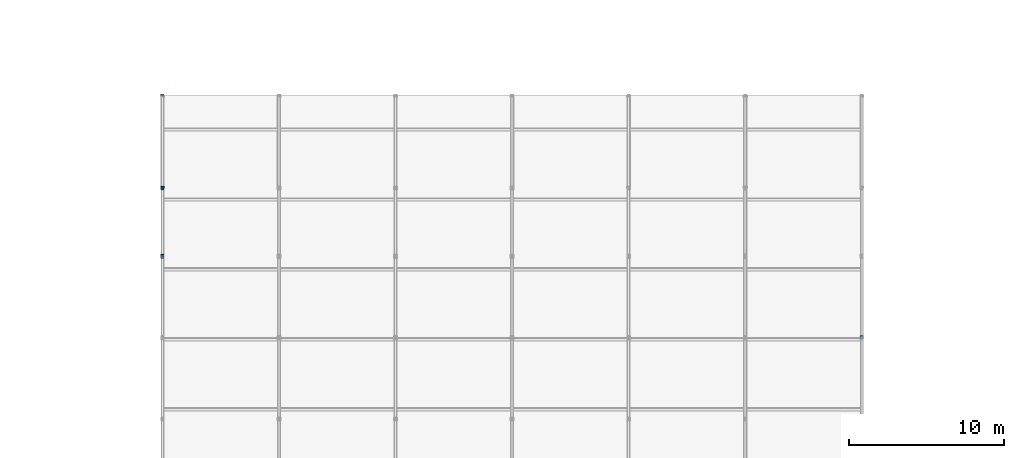
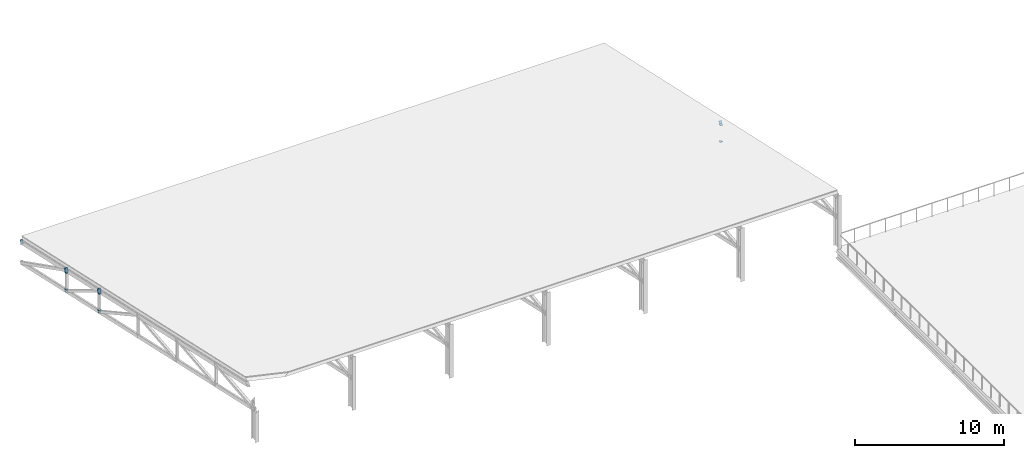
# One storey, part 58 of 77: 16 plates.
"""IFC4 building model written with IfcOpenShell, lengths in metres."""

from ifc_helpers import new_model, si_unit, direction, frame, origin, origin_2d, place, context, subcontext, project, spatial, rectangle, extrude, material, layer, layer_set, type_object, element, save


model = new_model("IFC4")

# Units and contexts
model_context = context("Model", 3, precision=1e-05, world=origin(), true_north=direction((0.0, 1.0)))
body_context = subcontext(model_context, "Body", "Model", "MODEL_VIEW")
ifc_project = project(units=[si_unit("LENGTHUNIT", "METRE"), si_unit("AREAUNIT", "SQUARE_METRE"), si_unit("VOLUMEUNIT", "CUBIC_METRE"), si_unit("PLANEANGLEUNIT", "RADIAN"), si_unit("MASSUNIT", "GRAM", prefix="KILO")], contexts=[model_context])

# Site, building, storey
site_placement = place(None, origin())
site = spatial("IfcSite", under=ifc_project, at=site_placement, CompositionType="ELEMENT")
building_placement = place(site_placement, origin())
building = spatial("IfcBuilding", under=site, at=building_placement, Name="Yukiwa Park Conservatory and Herbarium", CompositionType="ELEMENT")
storey_placement = place(building_placement, frame((0.0, 0.0, 13.199951171875)))
storey = spatial("IfcBuildingStorey", under=building, at=storey_placement, Name="L03", CompositionType="ELEMENT", Elevation=13.199951171875)

# Plates
ifc_material_1 = material(Name="Steel Q355D", Category="steel")
ifc_layer_1 = layer(ifc_material_1, 0.02392578125)
ifc_layer_set_1 = layer_set([ifc_layer_1], Name="Steel Q355D")
plate_type_1 = type_object("IfcPlateType", Name="PL-CAP-24", PredefinedType="USERDEFINED", material=ifc_layer_set_1)
plate_1_placement = place(storey_placement, frame((15.0, 98.760986328125, -0.41064453125), z_axis=(0.0, 0.976900017396, -0.213696878805), x_axis=(-1.0, 0.0, 0.0)))
element("IfcPlate", 1, at=plate_1_placement, inside=storey, type_object=plate_type_1, Name="Hollow section end cap plate CAP-AUTC-1-4B", ObjectType="END CAP PLATE", PredefinedType="USERDEFINED", context=body_context, shape_type="SweptSolid", body=[
    extrude(rectangle(XDim=0.2080078125, YDim=0.35791015625, at=origin_2d()), origin(), (0.0, 0.0, 1.0), 0.02392578125),
])
plate_2_placement = place(storey_placement, frame((15.0, 98.79296875, -2.115478515625), z_axis=(0.0, 0.877505337229, -0.479566870346), x_axis=(-1.0, 0.0, 0.0)))
element("IfcPlate", 2, at=plate_2_placement, inside=storey, type_object=plate_type_1, Name="Hollow section end cap plate CAP-AUDG-1-4B", ObjectType="END CAP PLATE", PredefinedType="USERDEFINED", context=body_context, shape_type="SweptSolid", body=[
    extrude(rectangle(XDim=0.2080078125, YDim=0.2080078125, at=origin_2d()), origin(), (0.0, 0.0, 1.0), 0.02392578125),
])
for number, where, z_axis, x_axis, name in (
    (3, (15.0, 98.839111328125, -0.427978515625), (0.0, -0.976900017396, 0.213696878805), (1.0, 0.0, 0.0), "Hollow section end cap plate CAP-AUTC-1-5A"),
    (4, (15.0, 103.160888671875, -1.385986328125), (0.0, 0.974732318528, -0.223376156329), (-1.0, 0.0, 0.0), "Hollow section end cap plate CAP-AUTC-1-5B"),
):
    element("IfcPlate", number, at=place(storey_placement, frame(where, z_axis=z_axis, x_axis=x_axis)), inside=storey, type_object=plate_type_1, Name=name, ObjectType="END CAP PLATE", PredefinedType="USERDEFINED", context=body_context, shape_type="SweptSolid", body=[
        extrude(rectangle(XDim=0.2080078125, YDim=0.35791015625, at=origin_2d()), origin(), (0.0, 0.0, 1.0), 0.02392578125),
    ])
for number, where, z_axis, x_axis, name in (
    (5, (15.0, 98.91357421875, -0.488525390625), (0.0, -0.854787515222, 0.518978134242), (1.0, 0.0, 0.0), "Hollow section end cap plate CAP-AUDG-1-5A"),
    (6, (15.0, 103.193115234375, -3.090576171875), (0.0, 0.854787515222, -0.518978134242), (-1.0, 0.0, 0.0), "Hollow section end cap plate CAP-AUDG-1-5B"),
):
    element("IfcPlate", number, at=place(storey_placement, frame(where, z_axis=z_axis, x_axis=x_axis)), inside=storey, type_object=plate_type_1, Name=name, ObjectType="END CAP PLATE", PredefinedType="USERDEFINED", context=body_context, shape_type="SweptSolid", body=[
        extrude(rectangle(XDim=0.2080078125, YDim=0.2080078125, at=origin_2d()), origin(), (0.0, 0.0, 1.0), 0.02392578125),
    ])
for number, where, z_axis, x_axis, name in (
    (7, (15.0, 103.239013671875, -1.4033203125), (0.0, -0.976900017396, 0.213696878805), (1.0, 0.0, 0.0), "Hollow section end cap plate CAP-AUTC-1-6A"),
    (8, (15.0, 109.186279296875, -2.72314453125), (0.0, 0.974732318528, -0.223376156329), (-1.0, 0.0, 0.0), "Hollow section end cap plate CAP-AUTC-1-6B"),
):
    element("IfcPlate", number, at=place(storey_placement, frame(where, z_axis=z_axis, x_axis=x_axis)), inside=storey, type_object=plate_type_1, Name=name, ObjectType="END CAP PLATE", PredefinedType="USERDEFINED", context=body_context, shape_type="SweptSolid", body=[
        extrude(rectangle(XDim=0.2080078125, YDim=0.35791015625, at=origin_2d()), origin(), (0.0, 0.0, 1.0), 0.02392578125),
    ])
plate_3_placement = place(storey_placement, frame((15.0, 103.2919921875, -1.441162109375), z_axis=(0.0, -0.894427191, 0.4472135955), x_axis=(1.0, 0.0, 0.0)))
element("IfcPlate", 9, at=plate_3_placement, inside=storey, type_object=plate_type_1, Name="Hollow section end cap plate CAP-AUDG-1-6A", ObjectType="END CAP PLATE", PredefinedType="USERDEFINED", context=body_context, shape_type="SweptSolid", body=[
    extrude(rectangle(XDim=0.22802734375, YDim=0.22802734375, at=origin_2d()), origin(), (0.0, 0.0, 1.0), 0.02392578125),
])
plate_4_placement = place(storey_placement, frame((60.0, 93.690185546875, 0.683837890625), z_axis=(0.0, -0.873197702015, 0.487366159264), x_axis=(1.0, 0.0, 0.0)))
element("IfcPlate", 10, at=plate_4_placement, inside=storey, type_object=plate_type_1, Name="Hollow section end cap plate CAP-AUDG-7-4A", ObjectType="END CAP PLATE", PredefinedType="USERDEFINED", context=body_context, shape_type="SweptSolid", body=[
    extrude(rectangle(XDim=0.2080078125, YDim=0.2080078125, at=origin_2d()), origin(), (0.0, 0.0, 1.0), 0.02392578125),
])
ifc_material_2 = material(Name="Steel Q355D", Category="steel")
ifc_layer_2 = layer(ifc_material_2, 0.02392578125)
ifc_layer_set_2 = layer_set([ifc_layer_2], Name="Steel Q355D")
plate_type_2 = type_object("IfcPlateType", Name="PL-CAP-24-INT", PredefinedType="USERDEFINED", material=ifc_layer_set_2)
for number, where, z_axis, x_axis, name in (
    (11, (15.0, 98.800048828125, -1.96630859375), (0.0, 0.0, -1.0), (1.0, 0.0, 0.0), "Hollow section end cap plate CAP-AUVP-1-4B"),
    (12, (15.0, 98.800048828125, -0.63330078125), (0.0, 0.0, 1.0), (1.0, 0.0, 0.0), "Hollow section end cap plate CAP-AUVP-1-4T"),
):
    element("IfcPlate", number, at=place(storey_placement, frame(where, z_axis=z_axis, x_axis=x_axis)), inside=storey, type_object=plate_type_2, Name=name, ObjectType="END CAP PLATE", PredefinedType="USERDEFINED", context=body_context, shape_type="SweptSolid", body=[
        extrude(rectangle(XDim=0.18798828125, YDim=0.18798828125, at=origin_2d()), origin(), (0.0, 0.0, 1.0), 0.02392578125),
    ])
plate_5_placement = place(storey_placement, frame((15.0, 103.199951171875, -2.941650390625), z_axis=(0.0, 0.0, -1.0), x_axis=(1.0, 0.0, 0.0)))
element("IfcPlate", 13, at=plate_5_placement, inside=storey, type_object=plate_type_2, Name="Hollow section end cap plate CAP-AUVP-1-5B", ObjectType="END CAP PLATE", PredefinedType="USERDEFINED", context=body_context, shape_type="SweptSolid", body=[
    extrude(rectangle(XDim=0.18798828125, YDim=0.18798828125, at=origin_2d()), origin(), (0.0, 0.0, 1.0), 0.024169921875),
])
plate_6_placement = place(storey_placement, frame((15.0, 103.199951171875, -1.608642578125), z_axis=(0.0, 0.0, 1.0), x_axis=(1.0, 0.0, 0.0)))
element("IfcPlate", 14, at=plate_6_placement, inside=storey, type_object=plate_type_2, Name="Hollow section end cap plate CAP-AUVP-1-5T", ObjectType="END CAP PLATE", PredefinedType="USERDEFINED", context=body_context, shape_type="SweptSolid", body=[
    extrude(rectangle(XDim=0.18798828125, YDim=0.18798828125, at=origin_2d()), origin(), (0.0, 0.0, 1.0), 0.02392578125),
])
plate_7_placement = place(storey_placement, frame((60.0, 93.60009765625, -0.8134765625), z_axis=(0.0, 0.0, -1.0), x_axis=(1.0, 0.0, 0.0)))
element("IfcPlate", 15, at=plate_7_placement, inside=storey, type_object=plate_type_2, Name="Hollow section end cap plate CAP-AUVP-7-3B", ObjectType="END CAP PLATE", PredefinedType="USERDEFINED", context=body_context, shape_type="SweptSolid", body=[
    extrude(rectangle(XDim=0.18798828125, YDim=0.18798828125, at=origin_2d()), origin(), (0.0, 0.0, 1.0), 0.024169921875),
])
plate_8_placement = place(storey_placement, frame((60.0, 93.60009765625, 0.51953125), z_axis=(0.0, 0.0, 1.0), x_axis=(1.0, 0.0, 0.0)))
element("IfcPlate", 16, at=plate_8_placement, inside=storey, type_object=plate_type_2, Name="Hollow section end cap plate CAP-AUVP-7-3T", ObjectType="END CAP PLATE", PredefinedType="USERDEFINED", context=body_context, shape_type="SweptSolid", body=[
    extrude(rectangle(XDim=0.18798828125, YDim=0.18798828125, at=origin_2d()), origin(), (0.0, 0.0, 1.0), 0.02392578125),
])

save(model, "model.ifc")
